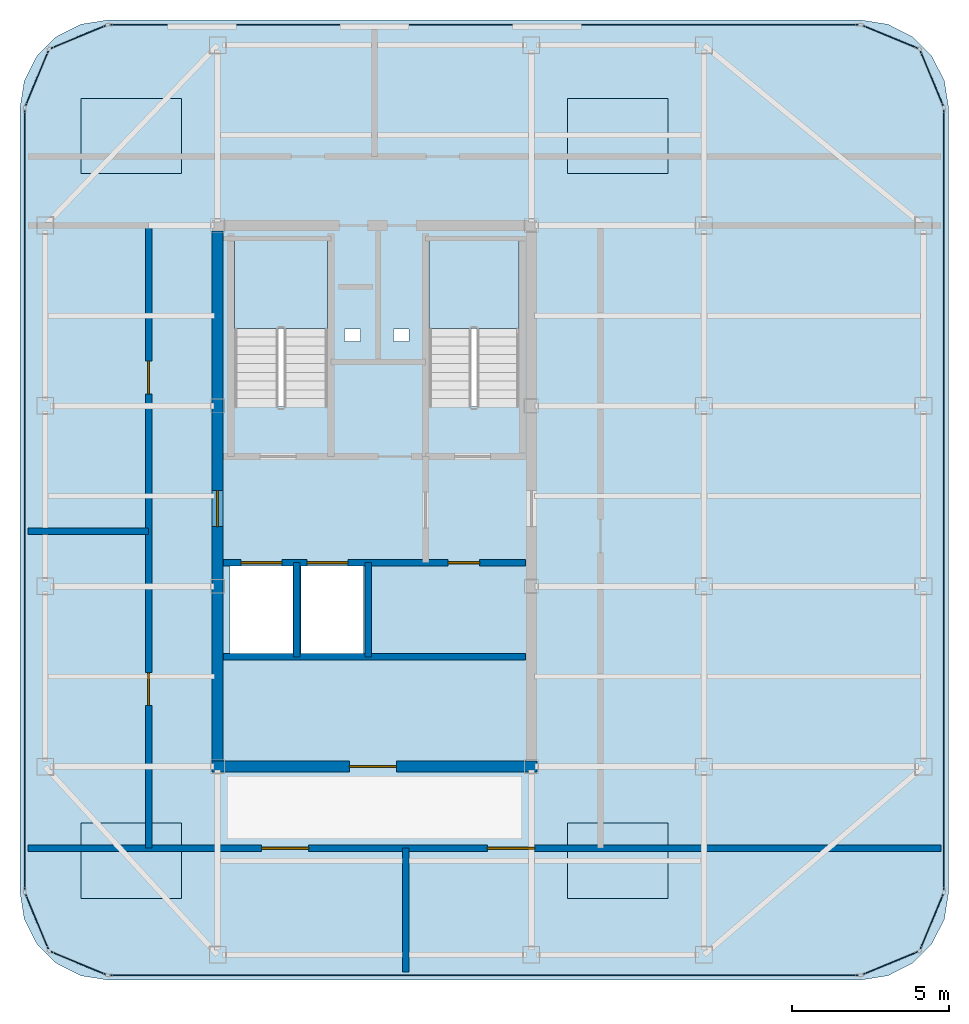
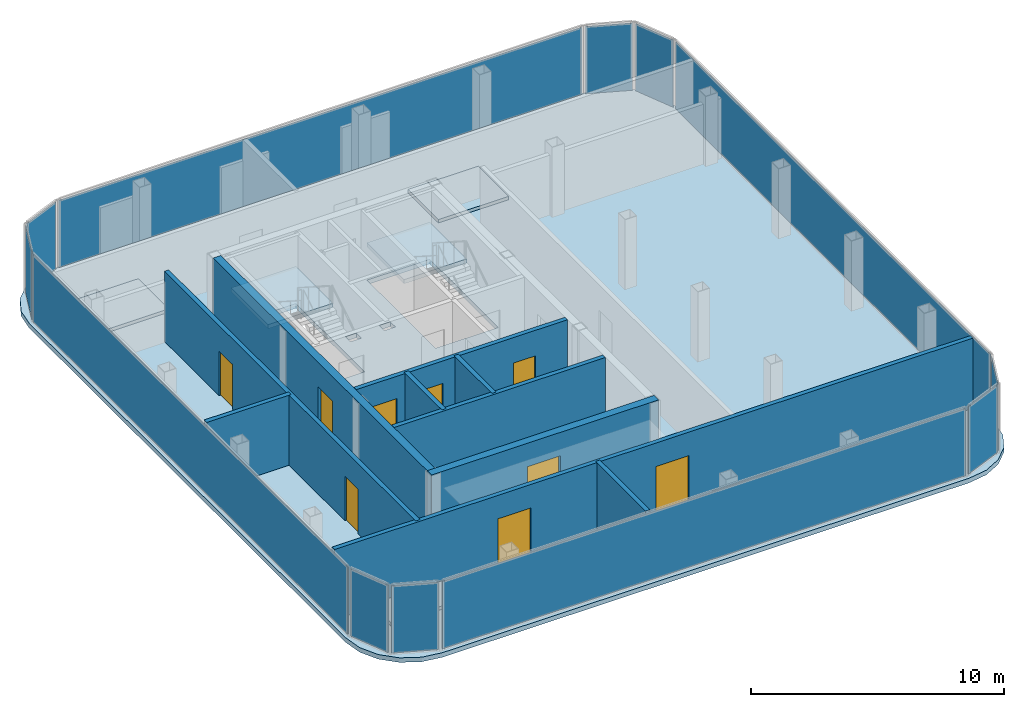
# One storey, part 9 of 11: 12 plates, 10 walls, 9 doors, 7 slabs, 9 openings, 14 elements without a shape of their own.
"""IFC4 building model written with IfcOpenShell, lengths in metres."""

from ifc_helpers import new_model, si_unit, direction, frame, frame_2d, origin, origin_2d, place, context, subcontext, project, spatial, polyline, rectangle, outline, extrude, source, transform, mapped, material, layer, layer_set, type_object, element, fill, aggregate, save


model = new_model("IFC4")

# Units and contexts
model_context = context("Model", 3, precision=1e-05, world=origin(), true_north=direction((0.0, 1.0)))
body_context = subcontext(model_context, "Body", "Model", "MODEL_VIEW")
ifc_project = project(units=[si_unit("LENGTHUNIT", "METRE"), si_unit("AREAUNIT", "SQUARE_METRE"), si_unit("VOLUMEUNIT", "CUBIC_METRE"), si_unit("PLANEANGLEUNIT", "RADIAN"), si_unit("MASSUNIT", "GRAM", prefix="KILO")], contexts=[model_context])

# Site, building, storey
site_placement = place(None, origin())
site = spatial("IfcSite", under=ifc_project, at=site_placement, CompositionType="ELEMENT")
building_placement = place(site_placement, origin())
building = spatial("IfcBuilding", under=site, at=building_placement, Name="Kolveth Station Tower", CompositionType="ELEMENT")
storey_placement = place(building_placement, frame((0.0, 0.0, 282.10009765625)))
storey = spatial("IfcBuildingStorey", under=building, at=storey_placement, Name="L81", CompositionType="ELEMENT", Elevation=282.10009765625)

# Slab
ifc_material_1 = material(Name="Concrete C40/50", Category="concrete")
ifc_layer_1 = layer(ifc_material_1, 0.219970703125)
ifc_layer_set_1 = layer_set([ifc_layer_1], Name="Concrete C40/50")
slab_type_1 = type_object("IfcSlabType", Name="Slab_SF-220", PredefinedType="FLOOR", material=ifc_layer_set_1)
slab_1_placement = place(storey_placement, frame((0.0, 0.0, -0.22021484375)))
element("IfcSlab", 1, at=slab_1_placement, inside=storey, type_object=slab_type_1, Name="L81 Tower Structural Floor Slab", PredefinedType="FLOOR", context=body_context, shape_type="SweptSolid", body=[
    extrude(outline(polyline([(39.0, 4.699951171875), (39.865234375, 4.8369140625), (40.645751953125, 5.23486328125), (41.26513671875, 5.854248046875), (41.6630859375, 6.634765625), (41.800048828125, 7.5), (41.800048828125, 32.5), (41.6630859375, 33.365234375), (41.26513671875, 34.145751953125), (40.645751953125, 34.76513671875), (39.865234375, 35.1630859375), (39.0, 35.300048828125), (15.0, 35.300048828125), (14.134765625, 35.1630859375), (13.354248046875, 34.76513671875), (12.73486328125, 34.145751953125), (12.3369140625, 33.365234375), (12.199951171875, 32.5), (12.199951171875, 7.5), (12.3369140625, 6.634765625), (12.73486328125, 5.854248046875), (13.354248046875, 5.23486328125), (14.134765625, 4.8369140625), (15.0, 4.699951171875), (39.0, 4.699951171875)]), holes=[polyline([(19.0400390625, 22.985107421875), (22.0, 22.985107421875), (22.0, 28.39990234375), (19.0400390625, 28.39990234375), (19.0400390625, 22.985107421875)]), polyline([(25.239990234375, 22.985107421875), (28.10009765625, 22.985107421875), (28.10009765625, 28.39990234375), (25.239990234375, 28.39990234375), (25.239990234375, 22.985107421875)]), polyline([(18.89990234375, 15.10009765625), (20.89990234375, 15.10009765625), (20.89990234375, 17.89990234375), (18.89990234375, 17.89990234375), (18.89990234375, 15.10009765625)]), polyline([(21.14990234375, 15.10009765625), (23.14990234375, 15.10009765625), (23.14990234375, 17.89990234375), (21.14990234375, 17.89990234375), (21.14990234375, 15.10009765625)]), polyline([(22.550048828125, 25.050048828125), (23.050048828125, 25.050048828125), (23.050048828125, 25.449951171875), (22.550048828125, 25.449951171875), (22.550048828125, 25.050048828125)]), polyline([(24.10009765625, 25.050048828125), (24.60009765625, 25.050048828125), (24.60009765625, 25.449951171875), (24.10009765625, 25.449951171875), (24.10009765625, 25.050048828125)])]), origin(), (0.0, 0.0, 1.0), 0.22021484375),
])

# Stair, slab
stair_type_1 = type_object("IfcStairType", Name="Stair_ST2", PredefinedType="HALF_TURN_STAIR", material=ifc_material_1)
stair_1_placement = place(storey_placement, origin())
stair_1 = element("IfcStair", 2, at=stair_1_placement, inside=storey, type_object=stair_type_1, Name="L81 Tower Exit Stair ST2", PredefinedType="HALF_TURN_STAIR")
ifc_layer_2 = layer(ifc_material_1, 0.18994140625)
ifc_layer_set_2 = layer_set([ifc_layer_2], Name="Concrete C40/50")
slab_type_2 = type_object("IfcSlabType", Name="Slab_SL-190", PredefinedType="LANDING", material=ifc_layer_set_2)
slab_2_placement = place(storey_placement, frame((0.0, 0.0, 1.599853515625)))
slab_2 = element("IfcSlab", 3, at=slab_2_placement, type_object=slab_type_2, Name="ST2 landing 1", PredefinedType="LANDING", context=body_context, shape_type="SweptSolid", body=[
    extrude(outline(polyline([(28.10009765625, 25.469970703125), (28.10009765625, 28.39990234375), (25.239990234375, 28.39990234375), (25.239990234375, 25.469970703125), (28.10009765625, 25.469970703125)])), origin(), (0.0, 0.0, 1.0), 0.199951171875),
])
aggregate(stair_1, [slab_2])

stair_type_2 = type_object("IfcStairType", Name="Stair_ST1", PredefinedType="HALF_TURN_STAIR", material=ifc_material_1)
stair_2_placement = place(storey_placement, origin())
stair_2 = element("IfcStair", 4, at=stair_2_placement, inside=storey, type_object=stair_type_2, Name="L81 Tower Exit Stair ST1", PredefinedType="HALF_TURN_STAIR")
ifc_layer_3 = layer(ifc_material_1, 0.205078125)
ifc_layer_set_3 = layer_set([ifc_layer_3], Name="Concrete C40/50")
slab_type_3 = type_object("IfcSlabType", Name="Slab_SL-205", PredefinedType="LANDING", material=ifc_layer_set_3)
slab_3_placement = place(storey_placement, frame((0.0, 0.0, 1.599853515625)))
slab_3 = element("IfcSlab", 5, at=slab_3_placement, type_object=slab_type_3, Name="ST1 landing 1", PredefinedType="LANDING", context=body_context, shape_type="SweptSolid", body=[
    extrude(outline(polyline([(22.0, 25.469970703125), (22.0, 28.39990234375), (19.0400390625, 28.39990234375), (19.0400390625, 25.469970703125), (22.0, 25.469970703125)])), origin(), (0.0, 0.0, 1.0), 0.199951171875),
])
aggregate(stair_2, [slab_3])

# Slabs
ifc_layer_4 = layer(ifc_material_1, 0.159912109375)
ifc_layer_set_4 = layer_set([ifc_layer_4], Name="Concrete C40/50")
slab_type_4 = type_object("IfcSlabType", Name="Slab_PL-160", PredefinedType="FLOOR", material=ifc_layer_set_4)
shared_shape_1 = source(origin(), body_context, "Body", "SweptSolid", [
    extrude(rectangle(XDim=3.199951171875, YDim=2.39990234375, at=origin_2d()), origin(), (0.0, 0.0, 1.0), 0.159912109375),
])
for number, where, z_axis, x_axis, name in (
    (6, (15.75, 8.5, 0.0), (0.0, 0.0, 1.0), (1.0, 0.0, 0.0), "L81 High-Altitude Plant Plinth 1"),
    (7, (31.25, 8.5, 0.0), (0.0, 0.0, 1.0), (1.0, 0.0, 0.0), "L81 High-Altitude Plant Plinth 2"),
    (8, (15.75, 31.60009765625, 0.0), (0.0, 0.0, 1.0), (1.0, 0.0, 0.0), "L81 High-Altitude Plant Plinth 3"),
    (9, (31.25, 31.60009765625, 0.0), (0.0, 0.0, 1.0), (1.0, 0.0, 0.0), "L81 High-Altitude Plant Plinth 4"),
):
    element("IfcSlab", number, at=place(storey_placement, frame(where, z_axis=z_axis, x_axis=x_axis)), inside=storey, type_object=slab_type_4, Name=name, PredefinedType="FLOOR", context=body_context, shape_type="MappedRepresentation", body=[
        mapped(shared_shape_1, transform((0.0, 0.0, 0.0), x_axis=(1.0, 0.0, 0.0), y_axis=(0.0, 1.0, 0.0), z_axis=(0.0, 0.0, 1.0), scale=1.0)),
    ])

# Curtain wall, plate
ifc_material_2 = material(Name="Black anodized aluminium 6063-T6 and dark crown glass", Category="aluminium")
ifc_layer_5 = layer(ifc_material_2, 0.169921875)
ifc_layer_set_5 = layer_set([ifc_layer_5], Name="Black anodized aluminium 6063-T6 and dark crown glass")
curtain_wall_type = type_object("IfcCurtainWallType", Name="CurtainWall_CW-CR", PredefinedType="NOTDEFINED", material=ifc_layer_set_5)
curtain_wall_1_placement = place(storey_placement, origin())
curtain_wall_1 = element("IfcCurtainWall", 10, at=curtain_wall_1_placement, inside=storey, type_object=curtain_wall_type, Name="L81 Stepped Crown Curtain Wall 1", PredefinedType="NOTDEFINED")
ifc_material_3 = material(Name="Architectural low-E dark glass", Category="glass")
ifc_layer_6 = layer(ifc_material_3, 0.033935546875)
ifc_layer_set_6 = layer_set([ifc_layer_6], Name="Architectural low-E dark glass")
plate_type = type_object("IfcPlateType", Name="Panel_GL-CR", PredefinedType="CURTAIN_PANEL", material=ifc_layer_set_6)
shared_shape_2 = source(origin(), body_context, "Body", "SweptSolid", [
    extrude(rectangle(XDim=1.872314453125, YDim=0.033935546875, at=origin_2d()), origin(), (0.0, 0.0, 1.0), 3.23388671875),
])
plate_1_placement = place(storey_placement, frame((39.93701171875, 5.238037109375, 0.072998046875), z_axis=(0.0, 0.0, 1.0), x_axis=(0.92387140439, 0.382703054797, 0.0)))
plate_1 = element("IfcPlate", 11, at=plate_1_placement, type_object=plate_type, Name="CW-CR panel 1.1", PredefinedType="CURTAIN_PANEL", context=body_context, shape_type="MappedRepresentation", body=[
    mapped(shared_shape_2, transform((0.0, 0.0, 0.0), x_axis=(1.0, 0.0, 0.0), y_axis=(0.0, 1.0, 0.0), z_axis=(0.0, 0.0, 1.0), scale=1.0)),
])
aggregate(curtain_wall_1, [plate_1])

curtain_wall_2_placement = place(storey_placement, origin())
curtain_wall_2 = element("IfcCurtainWall", 12, at=curtain_wall_2_placement, inside=storey, type_object=curtain_wall_type, Name="L81 Stepped Crown Curtain Wall 2", PredefinedType="NOTDEFINED")
plate_2_placement = place(storey_placement, frame((41.261962890625, 6.56298828125, 0.072998046875), z_axis=(0.0, 0.0, 1.0), x_axis=(0.382703054797, 0.92387140439, 0.0)))
plate_2 = element("IfcPlate", 13, at=plate_2_placement, type_object=plate_type, Name="CW-CR panel 1.1", PredefinedType="CURTAIN_PANEL", context=body_context, shape_type="MappedRepresentation", body=[
    mapped(shared_shape_2, transform((0.0, 0.0, 0.0), x_axis=(1.0, 0.0, 0.0), y_axis=(0.0, 1.0, 0.0), z_axis=(0.0, 0.0, 1.0), scale=1.0)),
])
aggregate(curtain_wall_2, [plate_2])

curtain_wall_3_placement = place(storey_placement, origin())
curtain_wall_3 = element("IfcCurtainWall", 14, at=curtain_wall_3_placement, inside=storey, type_object=curtain_wall_type, Name="L81 Stepped Crown Curtain Wall 4", PredefinedType="NOTDEFINED")
plate_3_placement = place(storey_placement, frame((41.261962890625, 33.43701171875, 0.072998046875), z_axis=(0.0, 0.0, 1.0), x_axis=(-0.382703054797, 0.92387140439, 0.0)))
plate_3 = element("IfcPlate", 15, at=plate_3_placement, type_object=plate_type, Name="CW-CR panel 1.1", PredefinedType="CURTAIN_PANEL", context=body_context, shape_type="MappedRepresentation", body=[
    mapped(shared_shape_2, transform((0.0, 0.0, 0.0), x_axis=(1.0, 0.0, 0.0), y_axis=(0.0, 1.0, 0.0), z_axis=(0.0, 0.0, 1.0), scale=1.0)),
])
aggregate(curtain_wall_3, [plate_3])

curtain_wall_4_placement = place(storey_placement, origin())
curtain_wall_4 = element("IfcCurtainWall", 16, at=curtain_wall_4_placement, inside=storey, type_object=curtain_wall_type, Name="L81 Stepped Crown Curtain Wall 5", PredefinedType="NOTDEFINED")
plate_4_placement = place(storey_placement, frame((39.93701171875, 34.761962890625, 0.072998046875), z_axis=(0.0, 0.0, 1.0), x_axis=(-0.92387140439, 0.382703054797, 0.0)))
plate_4 = element("IfcPlate", 17, at=plate_4_placement, type_object=plate_type, Name="CW-CR panel 1.1", PredefinedType="CURTAIN_PANEL", context=body_context, shape_type="MappedRepresentation", body=[
    mapped(shared_shape_2, transform((0.0, 0.0, 0.0), x_axis=(1.0, 0.0, 0.0), y_axis=(0.0, 1.0, 0.0), z_axis=(0.0, 0.0, 1.0), scale=1.0)),
])
aggregate(curtain_wall_4, [plate_4])

curtain_wall_5_placement = place(storey_placement, origin())
curtain_wall_5 = element("IfcCurtainWall", 18, at=curtain_wall_5_placement, inside=storey, type_object=curtain_wall_type, Name="L81 Stepped Crown Curtain Wall 7", PredefinedType="NOTDEFINED")
plate_5_placement = place(storey_placement, frame((14.06298828125, 34.761962890625, 0.072998046875), z_axis=(0.0, 0.0, 1.0), x_axis=(-0.92387140439, -0.382703054797, 0.0)))
plate_5 = element("IfcPlate", 19, at=plate_5_placement, type_object=plate_type, Name="CW-CR panel 1.1", PredefinedType="CURTAIN_PANEL", context=body_context, shape_type="MappedRepresentation", body=[
    mapped(shared_shape_2, transform((0.0, 0.0, 0.0), x_axis=(1.0, 0.0, 0.0), y_axis=(0.0, 1.0, 0.0), z_axis=(0.0, 0.0, 1.0), scale=1.0)),
])
aggregate(curtain_wall_5, [plate_5])

curtain_wall_6_placement = place(storey_placement, origin())
curtain_wall_6 = element("IfcCurtainWall", 20, at=curtain_wall_6_placement, inside=storey, type_object=curtain_wall_type, Name="L81 Stepped Crown Curtain Wall 8", PredefinedType="NOTDEFINED")
plate_6_placement = place(storey_placement, frame((12.738037109375, 33.43701171875, 0.072998046875), z_axis=(0.0, 0.0, 1.0), x_axis=(-0.382703054797, -0.92387140439, 0.0)))
plate_6 = element("IfcPlate", 21, at=plate_6_placement, type_object=plate_type, Name="CW-CR panel 1.1", PredefinedType="CURTAIN_PANEL", context=body_context, shape_type="MappedRepresentation", body=[
    mapped(shared_shape_2, transform((0.0, 0.0, 0.0), x_axis=(1.0, 0.0, 0.0), y_axis=(0.0, 1.0, 0.0), z_axis=(0.0, 0.0, 1.0), scale=1.0)),
])
aggregate(curtain_wall_6, [plate_6])

curtain_wall_7_placement = place(storey_placement, origin())
curtain_wall_7 = element("IfcCurtainWall", 22, at=curtain_wall_7_placement, inside=storey, type_object=curtain_wall_type, Name="L81 Stepped Crown Curtain Wall 10", PredefinedType="NOTDEFINED")
plate_7_placement = place(storey_placement, frame((12.738037109375, 6.56298828125, 0.072998046875), z_axis=(0.0, 0.0, 1.0), x_axis=(0.382703054797, -0.92387140439, 0.0)))
plate_7 = element("IfcPlate", 23, at=plate_7_placement, type_object=plate_type, Name="CW-CR panel 1.1", PredefinedType="CURTAIN_PANEL", context=body_context, shape_type="MappedRepresentation", body=[
    mapped(shared_shape_2, transform((0.0, 0.0, 0.0), x_axis=(1.0, 0.0, 0.0), y_axis=(0.0, 1.0, 0.0), z_axis=(0.0, 0.0, 1.0), scale=1.0)),
])
aggregate(curtain_wall_7, [plate_7])

curtain_wall_8_placement = place(storey_placement, origin())
curtain_wall_8 = element("IfcCurtainWall", 24, at=curtain_wall_8_placement, inside=storey, type_object=curtain_wall_type, Name="L81 Stepped Crown Curtain Wall 11", PredefinedType="NOTDEFINED")
plate_8_placement = place(storey_placement, frame((14.06298828125, 5.238037109375, 0.072998046875), z_axis=(0.0, 0.0, 1.0), x_axis=(0.92387140439, -0.382703054797, 0.0)))
plate_8 = element("IfcPlate", 25, at=plate_8_placement, type_object=plate_type, Name="CW-CR panel 1.1", PredefinedType="CURTAIN_PANEL", context=body_context, shape_type="MappedRepresentation", body=[
    mapped(shared_shape_2, transform((0.0, 0.0, 0.0), x_axis=(1.0, 0.0, 0.0), y_axis=(0.0, 1.0, 0.0), z_axis=(0.0, 0.0, 1.0), scale=1.0)),
])
aggregate(curtain_wall_8, [plate_8])

curtain_wall_9_placement = place(storey_placement, origin())
curtain_wall_9 = element("IfcCurtainWall", 26, at=curtain_wall_9_placement, inside=storey, type_object=curtain_wall_type, Name="L81 Stepped Crown Curtain Wall 3", PredefinedType="NOTDEFINED")
shared_shape_3 = source(origin(), body_context, "Body", "SweptSolid", [
    extrude(rectangle(XDim=24.843994140625, YDim=0.033935546875, at=origin_2d()), origin(), (0.0, 0.0, 1.0), 3.23388671875),
])
plate_9_placement = place(storey_placement, frame((41.64990234375, 20.0, 0.072998046875), z_axis=(0.0, 0.0, 1.0), x_axis=(0.0, 1.0, 0.0)))
plate_9 = element("IfcPlate", 27, at=plate_9_placement, type_object=plate_type, Name="CW-CR panel 1.1", PredefinedType="CURTAIN_PANEL", context=body_context, shape_type="MappedRepresentation", body=[
    mapped(shared_shape_3, transform((0.0, 0.0, 0.0), x_axis=(1.0, 0.0, 0.0), y_axis=(0.0, 1.0, 0.0), z_axis=(0.0, 0.0, 1.0), scale=1.0)),
])
aggregate(curtain_wall_9, [plate_9])

curtain_wall_10_placement = place(storey_placement, origin())
curtain_wall_10 = element("IfcCurtainWall", 28, at=curtain_wall_10_placement, inside=storey, type_object=curtain_wall_type, Name="L81 Stepped Crown Curtain Wall 9", PredefinedType="NOTDEFINED")
plate_10_placement = place(storey_placement, frame((12.35009765625, 20.0, 0.072998046875), z_axis=(0.0, 0.0, 1.0), x_axis=(0.0, -1.0, 0.0)))
plate_10 = element("IfcPlate", 29, at=plate_10_placement, type_object=plate_type, Name="CW-CR panel 1.1", PredefinedType="CURTAIN_PANEL", context=body_context, shape_type="MappedRepresentation", body=[
    mapped(shared_shape_3, transform((0.0, 0.0, 0.0), x_axis=(1.0, 0.0, 0.0), y_axis=(0.0, 1.0, 0.0), z_axis=(0.0, 0.0, 1.0), scale=1.0)),
])
aggregate(curtain_wall_10, [plate_10])

curtain_wall_11_placement = place(storey_placement, origin())
curtain_wall_11 = element("IfcCurtainWall", 30, at=curtain_wall_11_placement, inside=storey, type_object=curtain_wall_type, Name="L81 Stepped Crown Curtain Wall 6", PredefinedType="NOTDEFINED")
shared_shape_4 = source(origin(), body_context, "Body", "SweptSolid", [
    extrude(rectangle(XDim=23.843994140625, YDim=0.033935546875, at=origin_2d()), origin(), (0.0, 0.0, 1.0), 3.23388671875),
])
plate_11_placement = place(storey_placement, frame((27.0, 35.14990234375, 0.072998046875), z_axis=(0.0, 0.0, 1.0), x_axis=(-1.0, 0.0, 0.0)))
plate_11 = element("IfcPlate", 31, at=plate_11_placement, type_object=plate_type, Name="CW-CR panel 1.1", PredefinedType="CURTAIN_PANEL", context=body_context, shape_type="MappedRepresentation", body=[
    mapped(shared_shape_4, transform((0.0, 0.0, 0.0), x_axis=(1.0, 0.0, 0.0), y_axis=(0.0, 1.0, 0.0), z_axis=(0.0, 0.0, 1.0), scale=1.0)),
])
aggregate(curtain_wall_11, [plate_11])

curtain_wall_12_placement = place(storey_placement, origin())
curtain_wall_12 = element("IfcCurtainWall", 32, at=curtain_wall_12_placement, inside=storey, type_object=curtain_wall_type, Name="L81 Stepped Crown Curtain Wall 12", PredefinedType="NOTDEFINED")
plate_12_placement = place(storey_placement, frame((27.0, 4.85009765625, 0.072998046875), z_axis=(0.0, 0.0, 1.0), x_axis=(1.0, 0.0, 0.0)))
plate_12 = element("IfcPlate", 33, at=plate_12_placement, type_object=plate_type, Name="CW-CR panel 1.1", PredefinedType="CURTAIN_PANEL", context=body_context, shape_type="MappedRepresentation", body=[
    mapped(shared_shape_4, transform((0.0, 0.0, 0.0), x_axis=(1.0, 0.0, 0.0), y_axis=(0.0, 1.0, 0.0), z_axis=(0.0, 0.0, 1.0), scale=1.0)),
])
aggregate(curtain_wall_12, [plate_12])

# Wall, opening, door
ifc_material_4 = material(Name="Concrete C50/60", Category="concrete")
ifc_layer_7 = layer(ifc_material_4, 0.35009765625)
ifc_layer_set_7 = layer_set([ifc_layer_7], Name="Concrete C50/60")
wall_type_1 = type_object("IfcWallType", Name="Wall_CW-350", PredefinedType="SHEAR", material=ifc_layer_set_7)
wall_1_placement = place(storey_placement, frame((18.324951171875, 11.5, 0.0), z_axis=(0.0, 0.0, 1.0), x_axis=(1.0, 0.0, 0.0)))
wall_1 = element("IfcWall", 34, at=wall_1_placement, inside=storey, type_object=wall_type_1, Name="L81 Core RC Shear Wall S", PredefinedType="SHEAR", context=body_context, shape_type="SweptSolid", body=[
    extrude(rectangle(XDim=10.35009765625, YDim=0.35009765625, at=frame_2d((5.175048828125, 0.0))), origin(), (0.0, 0.0, 1.0), 3.3798828125),
])
opening_1_placement = place(wall_1_placement, frame((4.375, 0.0, 0.0)))
opening_1 = element("IfcOpeningElement", 35, at=opening_1_placement, cuts=wall_1, Name="Opening FD4", PredefinedType="OPENING", context=body_context, shape_type="SweptSolid", body=[
    extrude(rectangle(XDim=1.5, YDim=2.25, at=frame_2d((0.75, 1.125))), frame((0.0, 0.18505859375, 0.0), z_axis=(0.0, -1.0, 0.0), x_axis=(1.0, 0.0, 0.0)), (0.0, 0.0, 1.0), 0.3701171875),
])
ifc_material_5 = material(Name="Fire-rated double Steel S355 leaf", Category="steel")
door_type_1 = type_object("IfcDoorType", Name="Door_FD4", OperationType="NOTDEFINED", PredefinedType="DOOR", material=ifc_material_5)
door_1_placement = place(opening_1_placement, frame((1.5, 0.0, 0.0), z_axis=(0.0, 0.0, 1.0), x_axis=(-1.0, 0.0, 0.0)))
door_1 = element("IfcDoor", 36, at=door_1_placement, inside=storey, type_object=door_type_1, Name="L81 Fan Plant Double Door", OperationType="DOUBLE_DOOR_SINGLE_SWING", OverallHeight=2.25, OverallWidth=1.5, PredefinedType="DOOR", context=body_context, shape_type="SweptSolid", body=[
    extrude(rectangle(XDim=1.5, YDim=2.25, at=frame_2d((0.75, 1.125))), frame((0.0, 0.02490234375, 0.0), z_axis=(0.0, -1.0, 0.0), x_axis=(1.0, 0.0, 0.0)), (0.0, 0.0, 1.0), 0.050048828125),
])
fill(opening_1, door_1)

wall_2_placement = place(storey_placement, frame((18.5, 11.675048828125, 0.0), z_axis=(0.0, 0.0, 1.0), x_axis=(0.0, 1.0, 0.0)))
wall_2 = element("IfcWall", 37, at=wall_2_placement, inside=storey, type_object=wall_type_1, Name="L81 Core RC Shear Wall W", PredefinedType="SHEAR", context=body_context, shape_type="SweptSolid", body=[
    extrude(rectangle(XDim=16.89990234375, YDim=0.35009765625, at=frame_2d((8.449951171875, 0.0))), origin(), (0.0, 0.0, 1.0), 3.3798828125),
])
opening_2_placement = place(wall_2_placement, frame((7.47509765625, 0.0, 0.0)))
opening_2 = element("IfcOpeningElement", 38, at=opening_2_placement, cuts=wall_2, Name="Opening FD1", PredefinedType="OPENING", context=body_context, shape_type="SweptSolid", body=[
    extrude(rectangle(XDim=1.14990234375, YDim=2.199951171875, at=frame_2d((0.574951171875, 1.10009765625))), frame((0.0, 0.18505859375, 0.0), z_axis=(0.0, -1.0, 0.0), x_axis=(1.0, 0.0, 0.0)), (0.0, 0.0, 1.0), 0.3701171875),
])
ifc_material_6 = material(Name="Fire-rated Steel S355 leaf and frame", Category="steel")
door_type_2 = type_object("IfcDoorType", Name="Door_FD1", OperationType="NOTDEFINED", PredefinedType="DOOR", material=ifc_material_6)
door_2_placement = place(opening_2_placement, frame((1.14990234375, 0.0, 0.0), z_axis=(0.0, 0.0, 1.0), x_axis=(-1.0, 0.0, 0.0)))
door_2 = element("IfcDoor", 39, at=door_2_placement, inside=storey, type_object=door_type_2, Name="L81 West Corridor to Firefighting Lobby Door", OperationType="SINGLE_SWING_LEFT", OverallHeight=2.199951171875, OverallWidth=1.14990234375, PredefinedType="DOOR", context=body_context, shape_type="SweptSolid", body=[
    extrude(rectangle(XDim=1.14990234375, YDim=2.199951171875, at=frame_2d((0.574951171875, 1.10009765625))), frame((0.0, 0.02490234375, 0.0), z_axis=(0.0, -1.0, 0.0), x_axis=(1.0, 0.0, 0.0)), (0.0, 0.0, 1.0), 0.050048828125),
])
fill(opening_2, door_2)

# Wall, openings, doors
ifc_material_7 = material(Name="Acoustic fire-rated gypsum blockwork", Category="masonry")
ifc_layer_8 = layer(ifc_material_7, 0.199951171875)
ifc_layer_set_8 = layer_set([ifc_layer_8], Name="Acoustic fire-rated gypsum blockwork")
wall_type_2 = type_object("IfcWallType", Name="Wall_IW-200", PredefinedType="PARTITIONING", material=ifc_layer_set_8)
wall_3_placement = place(storey_placement, frame((18.68505859375, 18.0, 0.0), z_axis=(0.0, 0.0, 1.0), x_axis=(1.0, 0.0, 0.0)))
wall_3 = element("IfcWall", 40, at=wall_3_placement, inside=storey, type_object=wall_type_2, Name="L81 Partition Wall WL-L81-FFL-S", PredefinedType="PARTITIONING", context=body_context, shape_type="SweptSolid", body=[
    extrude(rectangle(XDim=9.6298828125, YDim=0.199951171875, at=frame_2d((4.81494140625, 0.0))), origin(), (0.0, 0.0, 1.0), 3.3798828125),
])
opening_3_placement = place(wall_3_placement, frame((0.56494140625, 0.0, 0.0)))
opening_3 = element("IfcOpeningElement", 41, at=opening_3_placement, cuts=wall_3, Name="Opening LD2", PredefinedType="OPENING", context=body_context, shape_type="SweptSolid", body=[
    extrude(rectangle(XDim=1.300048828125, YDim=2.300048828125, at=frame_2d((0.64990234375, 1.14990234375))), frame((0.0, 0.10986328125, 0.0), z_axis=(0.0, -1.0, 0.0), x_axis=(1.0, 0.0, 0.0)), (0.0, 0.0, 1.0), 0.219970703125),
])
opening_4_placement = place(wall_3_placement, frame((2.6650390625, 0.0, 0.0)))
opening_4 = element("IfcOpeningElement", 42, at=opening_4_placement, cuts=wall_3, Name="Opening LD2", PredefinedType="OPENING", context=body_context, shape_type="SweptSolid", body=[
    extrude(rectangle(XDim=1.300048828125, YDim=2.300048828125, at=frame_2d((0.64990234375, 1.14990234375))), frame((0.0, 0.10986328125, 0.0), z_axis=(0.0, -1.0, 0.0), x_axis=(1.0, 0.0, 0.0)), (0.0, 0.0, 1.0), 0.219970703125),
])
opening_5_placement = place(wall_3_placement, frame((7.1650390625, 0.0, 0.0)))
opening_5 = element("IfcOpeningElement", 43, at=opening_5_placement, cuts=wall_3, Name="Opening FD3", PredefinedType="OPENING", context=body_context, shape_type="SweptSolid", body=[
    extrude(rectangle(XDim=1.0, YDim=2.14990234375, at=frame_2d((0.5, 1.074951171875))), frame((0.0, 0.10986328125, 0.0), z_axis=(0.0, -1.0, 0.0), x_axis=(1.0, 0.0, 0.0)), (0.0, 0.0, 1.0), 0.219970703125),
])
ifc_material_8 = material(Name="Fire-rated hardwood leaf and aluminium frame", Category="wood")
door_type_3 = type_object("IfcDoorType", Name="Door_FD3", OperationType="NOTDEFINED", PredefinedType="DOOR", material=ifc_material_8)
door_3_placement = place(opening_5_placement, frame((1.0, 0.0, 0.0), z_axis=(0.0, 0.0, 1.0), x_axis=(-1.0, 0.0, 0.0)))
door_3 = element("IfcDoor", 44, at=door_3_placement, inside=storey, type_object=door_type_3, Name="L81 Core Staff Pantry Door", OperationType="SINGLE_SWING_RIGHT", OverallHeight=2.14990234375, OverallWidth=1.0, PredefinedType="DOOR", context=body_context, shape_type="SweptSolid", body=[
    extrude(rectangle(XDim=1.0, YDim=2.14990234375, at=frame_2d((0.5, 1.074951171875))), frame((0.0, 0.02490234375, 0.0), z_axis=(0.0, -1.0, 0.0), x_axis=(1.0, 0.0, 0.0)), (0.0, 0.0, 1.0), 0.050048828125),
])
fill(opening_5, door_3)
ifc_material_9 = material(Name="Firefighting stainless steel sliding landing doors", Category="steel")
door_type_4 = type_object("IfcDoorType", Name="Door_LD2", OperationType="NOTDEFINED", PredefinedType="DOOR", material=ifc_material_9)
door_4_placement = place(opening_3_placement, origin())
door_4 = element("IfcDoor", 45, at=door_4_placement, inside=storey, type_object=door_type_4, Name="L81 Firefighting Lift FF1 Landing Door", OperationType="DOUBLE_DOOR_SLIDING", OverallHeight=2.300048828125, OverallWidth=1.300048828125, PredefinedType="DOOR", context=body_context, shape_type="SweptSolid", body=[
    extrude(rectangle(XDim=1.300048828125, YDim=2.300048828125, at=frame_2d((0.64990234375, 1.14990234375))), frame((0.0, 0.02490234375, 0.0), z_axis=(0.0, -1.0, 0.0), x_axis=(1.0, 0.0, 0.0)), (0.0, 0.0, 1.0), 0.050048828125),
])
fill(opening_3, door_4)
door_5_placement = place(opening_4_placement, origin())
door_5 = element("IfcDoor", 46, at=door_5_placement, inside=storey, type_object=door_type_4, Name="L81 Firefighting Lift FF2 Landing Door", OperationType="DOUBLE_DOOR_SLIDING", OverallHeight=2.300048828125, OverallWidth=1.300048828125, PredefinedType="DOOR", context=body_context, shape_type="SweptSolid", body=[
    extrude(rectangle(XDim=1.300048828125, YDim=2.300048828125, at=frame_2d((0.64990234375, 1.14990234375))), frame((0.0, 0.02490234375, 0.0), z_axis=(0.0, -1.0, 0.0), x_axis=(1.0, 0.0, 0.0)), (0.0, 0.0, 1.0), 0.050048828125),
])
fill(opening_4, door_5)

# Walls
for number, where, z_axis, x_axis, name in (
    (47, (21.02001953125, 15.0, 0.0), (0.0, 0.0, 1.0), (0.0, 1.0, 0.0), "L81 Partition Wall WL-L81-FF12"),
    (48, (23.300048828125, 15.0, 0.0), (0.0, 0.0, 1.0), (0.0, 1.0, 0.0), "L81 Partition Wall WL-L81-FF2E"),
):
    element("IfcWall", number, at=place(storey_placement, frame(where, z_axis=z_axis, x_axis=x_axis)), inside=storey, type_object=wall_type_2, Name=name, PredefinedType="PARTITIONING", context=body_context, shape_type="SweptSolid", body=[
        extrude(rectangle(XDim=3.0, YDim=0.199951171875, at=frame_2d((1.5, 0.0))), origin(), (0.0, 0.0, 1.0), 3.3798828125),
    ])
wall_4_placement = place(storey_placement, frame((18.68505859375, 15.0, 0.0), z_axis=(0.0, 0.0, 1.0), x_axis=(1.0, 0.0, 0.0)))
element("IfcWall", 49, at=wall_4_placement, inside=storey, type_object=wall_type_2, Name="L81 Partition Wall WL-L81-BOH-S", PredefinedType="PARTITIONING", context=body_context, shape_type="SweptSolid", body=[
    extrude(rectangle(XDim=9.6298828125, YDim=0.199951171875, at=frame_2d((4.81494140625, 0.0))), origin(), (0.0, 0.0, 1.0), 3.3798828125),
])

# Wall, openings, doors
wall_5_placement = place(storey_placement, frame((12.449951171875, 8.89990234375, 0.0), z_axis=(0.0, 0.0, 1.0), x_axis=(1.0, 0.0, 0.0)))
wall_5 = element("IfcWall", 50, at=wall_5_placement, inside=storey, type_object=wall_type_2, Name="L81 Partition Wall WL-L81-PR-S", PredefinedType="PARTITIONING", context=body_context, shape_type="SweptSolid", body=[
    extrude(rectangle(XDim=29.10009765625, YDim=0.199951171875, at=frame_2d((14.550048828125, 0.0))), origin(), (0.0, 0.0, 1.0), 3.3798828125),
])
opening_6_placement = place(wall_5_placement, frame((7.449951171875, 0.0, 0.0)))
opening_6 = element("IfcOpeningElement", 51, at=opening_6_placement, cuts=wall_5, Name="Opening FD4", PredefinedType="OPENING", context=body_context, shape_type="SweptSolid", body=[
    extrude(rectangle(XDim=1.5, YDim=2.25, at=frame_2d((0.75, 1.125))), frame((0.0, 0.10986328125, 0.0), z_axis=(0.0, -1.0, 0.0), x_axis=(1.0, 0.0, 0.0)), (0.0, 0.0, 1.0), 0.219970703125),
])
opening_7_placement = place(wall_5_placement, frame((14.64990234375, 0.0, 0.0)))
opening_7 = element("IfcOpeningElement", 52, at=opening_7_placement, cuts=wall_5, Name="Opening FD4", PredefinedType="OPENING", context=body_context, shape_type="SweptSolid", body=[
    extrude(rectangle(XDim=1.5, YDim=2.25, at=frame_2d((0.75, 1.125))), frame((0.0, 0.10986328125, 0.0), z_axis=(0.0, -1.0, 0.0), x_axis=(1.0, 0.0, 0.0)), (0.0, 0.0, 1.0), 0.219970703125),
])
door_6_placement = place(opening_6_placement, frame((1.5, 0.0, 0.0), z_axis=(0.0, 0.0, 1.0), x_axis=(-1.0, 0.0, 0.0)))
door_6 = element("IfcDoor", 53, at=door_6_placement, inside=storey, type_object=door_type_1, Name="L81 High-Altitude Chiller Plant Room Door", OperationType="SINGLE_SWING_LEFT", OverallHeight=2.25, OverallWidth=1.5, PredefinedType="DOOR", context=body_context, shape_type="SweptSolid", body=[
    extrude(rectangle(XDim=1.5, YDim=2.25, at=frame_2d((0.75, 1.125))), frame((0.0, 0.02490234375, 0.0), z_axis=(0.0, -1.0, 0.0), x_axis=(1.0, 0.0, 0.0)), (0.0, 0.0, 1.0), 0.050048828125),
])
fill(opening_6, door_6)
door_7_placement = place(opening_7_placement, frame((1.5, 0.0, 0.0), z_axis=(0.0, 0.0, 1.0), x_axis=(-1.0, 0.0, 0.0)))
door_7 = element("IfcDoor", 54, at=door_7_placement, inside=storey, type_object=door_type_1, Name="L81 Standby Generator Plant Room Door", OperationType="SINGLE_SWING_RIGHT", OverallHeight=2.25, OverallWidth=1.5, PredefinedType="DOOR", context=body_context, shape_type="SweptSolid", body=[
    extrude(rectangle(XDim=1.5, YDim=2.25, at=frame_2d((0.75, 1.125))), frame((0.0, 0.02490234375, 0.0), z_axis=(0.0, -1.0, 0.0), x_axis=(1.0, 0.0, 0.0)), (0.0, 0.0, 1.0), 0.050048828125),
])
fill(opening_7, door_7)

wall_6_placement = place(storey_placement, frame((16.300048828125, 8.89990234375, 0.0), z_axis=(0.0, 0.0, 1.0), x_axis=(0.0, 1.0, 0.0)))
wall_6 = element("IfcWall", 55, at=wall_6_placement, inside=storey, type_object=wall_type_2, Name="L81 Partition Wall WL-L81-PR-W", PredefinedType="PARTITIONING", context=body_context, shape_type="SweptSolid", body=[
    extrude(rectangle(XDim=19.85009765625, YDim=0.199951171875, at=frame_2d((9.925048828125, 0.0))), origin(), (0.0, 0.0, 1.0), 3.3798828125),
])
opening_8_placement = place(wall_6_placement, frame((4.550048828125, 0.0, 0.0)))
opening_8 = element("IfcOpeningElement", 56, at=opening_8_placement, cuts=wall_6, Name="Opening FD2", PredefinedType="OPENING", context=body_context, shape_type="SweptSolid", body=[
    extrude(rectangle(XDim=1.050048828125, YDim=2.14990234375, at=frame_2d((0.52490234375, 1.074951171875))), frame((0.0, 0.10986328125, 0.0), z_axis=(0.0, -1.0, 0.0), x_axis=(1.0, 0.0, 0.0)), (0.0, 0.0, 1.0), 0.219970703125),
])
opening_9_placement = place(wall_6_placement, frame((14.47509765625, 0.0, 0.0)))
opening_9 = element("IfcOpeningElement", 57, at=opening_9_placement, cuts=wall_6, Name="Opening FD2", PredefinedType="OPENING", context=body_context, shape_type="SweptSolid", body=[
    extrude(rectangle(XDim=1.050048828125, YDim=2.14990234375, at=frame_2d((0.52490234375, 1.074951171875))), frame((0.0, 0.10986328125, 0.0), z_axis=(0.0, -1.0, 0.0), x_axis=(1.0, 0.0, 0.0)), (0.0, 0.0, 1.0), 0.219970703125),
])
door_type_5 = type_object("IfcDoorType", Name="Door_FD2", OperationType="NOTDEFINED", PredefinedType="DOOR", material=ifc_material_6)
door_8_placement = place(opening_8_placement, frame((1.050048828125, 0.0, 0.0), z_axis=(0.0, 0.0, 1.0), x_axis=(-1.0, 0.0, 0.0)))
door_8 = element("IfcDoor", 58, at=door_8_placement, inside=storey, type_object=door_type_5, Name="L81 Air Handling Plant Room Door", OperationType="SINGLE_SWING_LEFT", OverallHeight=2.14990234375, OverallWidth=1.050048828125, PredefinedType="DOOR", context=body_context, shape_type="SweptSolid", body=[
    extrude(rectangle(XDim=1.050048828125, YDim=2.14990234375, at=frame_2d((0.52490234375, 1.074951171875))), frame((0.0, 0.02490234375, 0.0), z_axis=(0.0, -1.0, 0.0), x_axis=(1.0, 0.0, 0.0)), (0.0, 0.0, 1.0), 0.050048828125),
])
fill(opening_8, door_8)
door_9_placement = place(opening_9_placement, frame((1.050048828125, 0.0, 0.0), z_axis=(0.0, 0.0, 1.0), x_axis=(-1.0, 0.0, 0.0)))
door_9 = element("IfcDoor", 59, at=door_9_placement, inside=storey, type_object=door_type_5, Name="L81 Heat Recovery Plant Room Door", OperationType="SINGLE_SWING_RIGHT", OverallHeight=2.14990234375, OverallWidth=1.050048828125, PredefinedType="DOOR", context=body_context, shape_type="SweptSolid", body=[
    extrude(rectangle(XDim=1.050048828125, YDim=2.14990234375, at=frame_2d((0.52490234375, 1.074951171875))), frame((0.0, 0.02490234375, 0.0), z_axis=(0.0, -1.0, 0.0), x_axis=(1.0, 0.0, 0.0)), (0.0, 0.0, 1.0), 0.050048828125),
])
fill(opening_9, door_9)

# Walls
wall_7_placement = place(storey_placement, frame((24.5, 4.949951171875, 0.0), z_axis=(0.0, 0.0, 1.0), x_axis=(0.0, 1.0, 0.0)))
element("IfcWall", 60, at=wall_7_placement, inside=storey, type_object=wall_type_2, Name="L81 Partition Wall WL-L81-CS-P1", PredefinedType="PARTITIONING", context=body_context, shape_type="SweptSolid", body=[
    extrude(rectangle(XDim=3.949951171875, YDim=0.199951171875, at=frame_2d((1.97509765625, 0.0))), origin(), (0.0, 0.0, 1.0), 3.3798828125),
])
wall_8_placement = place(storey_placement, frame((12.449951171875, 19.0, 0.0), z_axis=(0.0, 0.0, 1.0), x_axis=(1.0, 0.0, 0.0)))
element("IfcWall", 61, at=wall_8_placement, inside=storey, type_object=wall_type_2, Name="L81 Partition Wall WL-L81-CW-P1", PredefinedType="PARTITIONING", context=body_context, shape_type="SweptSolid", body=[
    extrude(rectangle(XDim=3.85009765625, YDim=0.199951171875, at=frame_2d((1.925048828125, 0.0))), origin(), (0.0, 0.0, 1.0), 3.3798828125),
])

save(model, "model.ifc")
